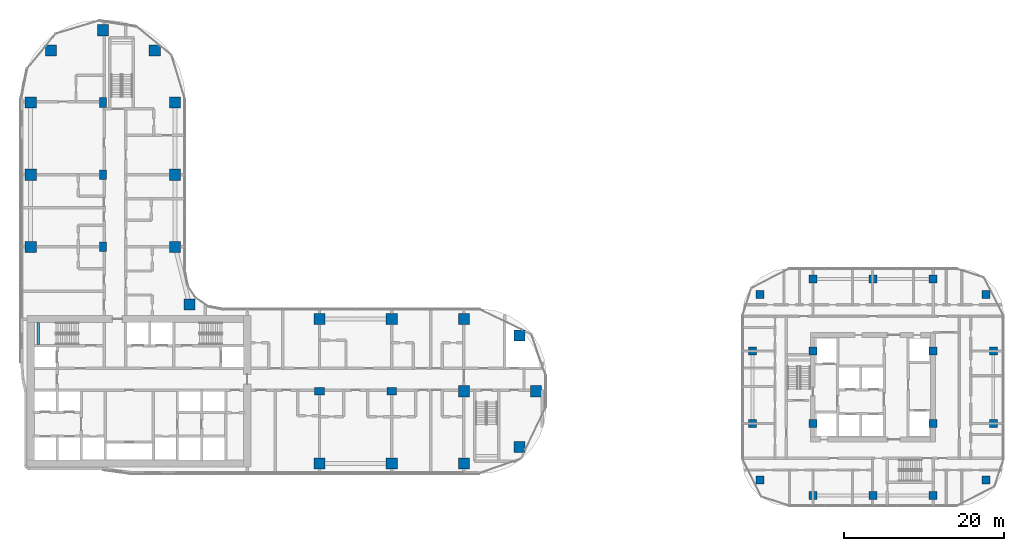
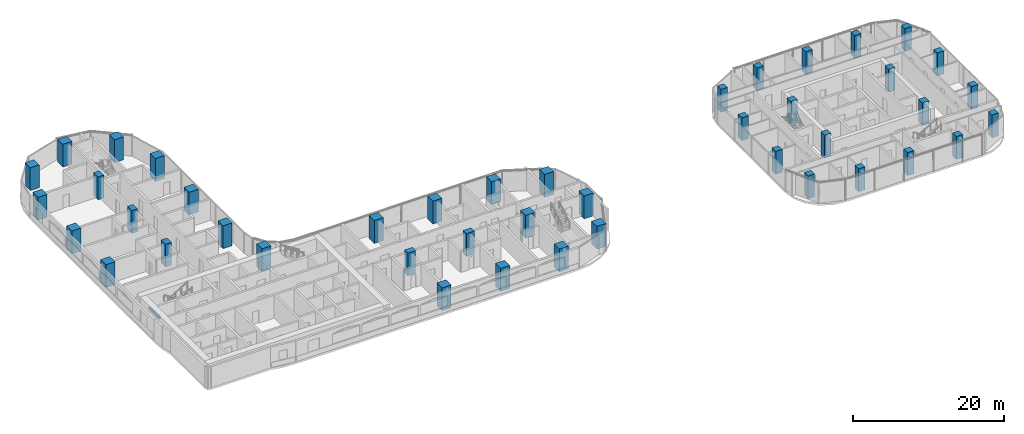
# One storey, part 1 of 36: 43 columns, 1 beam.
"""IFC4 building model written with IfcOpenShell, lengths in metres."""

from ifc_helpers import new_model, si_unit, direction, frame, origin, origin_2d, place, context, subcontext, project, spatial, rectangle, extrude, material, material_profile, profile_set, type_object, element, save


model = new_model("IFC4")

# Units and contexts
model_context = context("Model", 3, precision=1e-05, world=origin(), true_north=direction((0.0, 1.0)))
body_context = subcontext(model_context, "Body", "Model", "MODEL_VIEW")
ifc_project = project(units=[si_unit("LENGTHUNIT", "METRE"), si_unit("AREAUNIT", "SQUARE_METRE"), si_unit("VOLUMEUNIT", "CUBIC_METRE"), si_unit("PLANEANGLEUNIT", "RADIAN"), si_unit("MASSUNIT", "GRAM", prefix="KILO")], contexts=[model_context])

# Site, building, storey
site_placement = place(None, origin())
site = spatial("IfcSite", under=ifc_project, at=site_placement, CompositionType="ELEMENT")
building_placement = place(site_placement, origin())
building = spatial("IfcBuilding", under=site, at=building_placement, Name="Ogive Portal Towers", CompositionType="ELEMENT")
storey_placement = place(building_placement, frame((0.0, 0.0, 48.300048828125)))
storey = spatial("IfcBuildingStorey", under=building, at=storey_placement, Name="L10", CompositionType="ELEMENT", Elevation=48.300048828125)

# Columns
ifc_material_1 = material(Name="Concrete C60/75", Category="concrete")
ifc_material_profile_1 = material_profile(ifc_material_1, rectangle(XDim=1.0, YDim=1.0, at=origin_2d()), Name="RC 1000x1000")
ifc_profile_set_1 = profile_set([ifc_material_profile_1], Name="Concrete C60/75")
column_type_1 = type_object("IfcColumnType", Name="COLUMN RC 1000x1000", PredefinedType="COLUMN", material=ifc_profile_set_1)
for number, where, z_axis, x_axis, name in (
    (1, (129.0, 17.5, 0.0), (0.0, 0.0, 1.0), (1.0, 0.0, 0.0), "Column 12/H L10"),
    (2, (136.5, 17.5, 0.0), (0.0, 0.0, 1.0), (1.0, 0.0, 0.0), "Column 13/H L10"),
    (3, (144.0, 17.5, 0.0), (0.0, 0.0, 1.0), (1.0, 0.0, 0.0), "Column 14/H L10"),
    (4, (122.40087890625, 19.44189453125, 0.0), (0.0, 0.0, 1.0), (1.0, 0.0, 0.0), "Column L10"),
    (5, (150.59912109375, 19.44189453125, 0.0), (0.0, 0.0, 1.0), (1.0, 0.0, 0.0), "Column L10"),
    (6, (121.5, 26.5, 0.0), (0.0, 0.0, 1.0), (1.0, 0.0, 0.0), "Column 11/J L10"),
    (7, (129.0, 26.5, 0.0), (0.0, 0.0, 1.0), (1.0, 0.0, 0.0), "Column 12/J L10"),
    (8, (144.0, 26.5, 0.0), (0.0, 0.0, 1.0), (1.0, 0.0, 0.0), "Column 14/J L10"),
    (9, (151.5, 26.5, 0.0), (0.0, 0.0, 1.0), (1.0, 0.0, 0.0), "Column 15/J L10"),
    (10, (121.5, 35.5, 0.0), (0.0, 0.0, 1.0), (1.0, 0.0, 0.0), "Column 11/K L10"),
    (11, (129.0, 35.5, 0.0), (0.0, 0.0, 1.0), (1.0, 0.0, 0.0), "Column 12/K L10"),
    (12, (144.0, 35.5, 0.0), (0.0, 0.0, 1.0), (1.0, 0.0, 0.0), "Column 14/K L10"),
    (13, (151.5, 35.5, 0.0), (0.0, 0.0, 1.0), (1.0, 0.0, 0.0), "Column 15/K L10"),
    (14, (122.40087890625, 42.55810546875, 0.0), (0.0, 0.0, 1.0), (1.0, 0.0, 0.0), "Column L10"),
    (15, (150.59912109375, 42.55810546875, 0.0), (0.0, 0.0, 1.0), (1.0, 0.0, 0.0), "Column L10"),
    (16, (129.0, 44.5, 0.0), (0.0, 0.0, 1.0), (1.0, 0.0, 0.0), "Column 12/L L10"),
    (17, (136.5, 44.5, 0.0), (0.0, 0.0, 1.0), (1.0, 0.0, 0.0), "Column 13/L L10"),
    (18, (144.0, 44.5, 0.0), (0.0, 0.0, 1.0), (1.0, 0.0, 0.0), "Column 14/L L10"),
):
    element("IfcColumn", number, at=place(storey_placement, frame(where, z_axis=z_axis, x_axis=x_axis)), inside=storey, type_object=column_type_1, Name=name, PredefinedType="COLUMN", context=body_context, shape_type="SweptSolid", body=[
        extrude(rectangle(XDim=1.0, YDim=1.0, at=origin_2d()), origin(), (0.0, 0.0, 1.0), 3.699951171875),
    ])
ifc_material_profile_2 = material_profile(ifc_material_1, rectangle(XDim=1.199951171875, YDim=0.89990234375, at=origin_2d()), Name="RC 1200x900")
ifc_profile_set_2 = profile_set([ifc_material_profile_2], Name="Concrete C60/75")
column_type_2 = type_object("IfcColumnType", Name="COLUMN RC 1200x900", PredefinedType="COLUMN", material=ifc_profile_set_2)
for number, where, z_axis, x_axis, name in (
    (19, (67.5, 30.5, 0.0), (0.0, 0.0, 1.0), (1.0, 0.0, 0.0), "Column 5/B L10"),
    (20, (76.5, 30.5, 0.0), (0.0, 0.0, 1.0), (1.0, 0.0, 0.0), "Column 6/B L10"),
    (21, (40.5, 48.5, 0.0), (0.0, 0.0, 1.0), (0.0, 1.0, 0.0), "Column 2/D L10"),
    (22, (40.5, 57.5, 0.0), (0.0, 0.0, 1.0), (0.0, 1.0, 0.0), "Column 2/E L10"),
    (23, (40.5, 66.5, 0.0), (0.0, 0.0, 1.0), (0.0, 1.0, 0.0), "Column 2/F L10"),
):
    element("IfcColumn", number, at=place(storey_placement, frame(where, z_axis=z_axis, x_axis=x_axis)), inside=storey, type_object=column_type_2, Name=name, PredefinedType="COLUMN", context=body_context, shape_type="SweptSolid", body=[
        extrude(rectangle(XDim=1.199951171875, YDim=0.89990234375, at=origin_2d()), origin(), (0.0, 0.0, 1.0), 3.699951171875),
    ])
ifc_material_profile_3 = material_profile(ifc_material_1, rectangle(XDim=1.39990234375, YDim=1.39990234375, at=origin_2d()), Name="RC 1400x1400")
ifc_profile_set_3 = profile_set([ifc_material_profile_3], Name="Concrete C60/75")
column_type_3 = type_object("IfcColumnType", Name="COLUMN RC 1400x1400", PredefinedType="COLUMN", material=ifc_profile_set_3)
for number, where, z_axis, x_axis, name in (
    (24, (67.5, 21.5, 0.0), (0.0, 0.0, 1.0), (1.0, 0.0, 0.0), "Column 5/A L10"),
    (25, (76.5, 21.5, 0.0), (0.0, 0.0, 1.0), (1.0, 0.0, 0.0), "Column 6/A L10"),
    (26, (85.5, 21.5, 0.0), (0.0, 0.0, 1.0), (1.0, 0.0, 0.0), "Column 7/A L10"),
    (27, (92.449951171875, 23.550048828125, 0.0), (0.0, 0.0, 1.0), (1.0, 0.0, 0.0), "Column L10"),
    (28, (85.5, 30.5, 0.0), (0.0, 0.0, 1.0), (1.0, 0.0, 0.0), "Column 7/B L10"),
    (29, (94.5, 30.5, 0.0), (0.0, 0.0, 1.0), (1.0, 0.0, 0.0), "Column 8/B L10"),
    (30, (92.449951171875, 37.449951171875, 0.0), (0.0, 0.0, 1.0), (1.0, 0.0, 0.0), "Column L10"),
    (31, (67.5, 39.5, 0.0), (0.0, 0.0, 1.0), (1.0, 0.0, 0.0), "Column 5/C L10"),
    (32, (76.5, 39.5, 0.0), (0.0, 0.0, 1.0), (1.0, 0.0, 0.0), "Column 6/C L10"),
    (33, (85.5, 39.5, 0.0), (0.0, 0.0, 1.0), (1.0, 0.0, 0.0), "Column 7/C L10"),
    (34, (51.31005859375, 41.31005859375, 0.0), (0.0, 0.0, 1.0), (1.0, 0.0, 0.0), "Column L10"),
    (35, (31.5, 48.5, 0.0), (0.0, 0.0, 1.0), (1.0, 0.0, 0.0), "Column 1/D L10"),
    (36, (49.5, 48.5, 0.0), (0.0, 0.0, 1.0), (1.0, 0.0, 0.0), "Column 3/D L10"),
    (37, (31.5, 57.5, 0.0), (0.0, 0.0, 1.0), (1.0, 0.0, 0.0), "Column 1/E L10"),
    (38, (49.5, 57.5, 0.0), (0.0, 0.0, 1.0), (1.0, 0.0, 0.0), "Column 3/E L10"),
    (39, (31.5, 66.5, 0.0), (0.0, 0.0, 1.0), (1.0, 0.0, 0.0), "Column 1/F L10"),
    (40, (49.5, 66.5, 0.0), (0.0, 0.0, 1.0), (1.0, 0.0, 0.0), "Column 3/F L10"),
    (41, (34.027099609375, 72.972900390625, 0.0), (0.0, 0.0, 1.0), (1.0, 0.0, 0.0), "Column L10"),
    (42, (46.972900390625, 72.972900390625, 0.0), (0.0, 0.0, 1.0), (1.0, 0.0, 0.0), "Column L10"),
    (43, (40.5, 75.5, 0.0), (0.0, 0.0, 1.0), (1.0, 0.0, 0.0), "Column 2/G L10"),
):
    element("IfcColumn", number, at=place(storey_placement, frame(where, z_axis=z_axis, x_axis=x_axis)), inside=storey, type_object=column_type_3, Name=name, PredefinedType="COLUMN", context=body_context, shape_type="SweptSolid", body=[
        extrude(rectangle(XDim=1.39990234375, YDim=1.39990234375, at=origin_2d()), origin(), (0.0, 0.0, 1.0), 3.699951171875),
    ])

# Beam
ifc_material_2 = material(Name="Concrete C40/50", Category="concrete")
ifc_material_profile_4 = material_profile(ifc_material_2, rectangle(XDim=0.300048828125, YDim=0.39990234375, at=origin_2d()), Name="RC 300x400")
ifc_profile_set_4 = profile_set([ifc_material_profile_4], Name="Concrete C40/50")
beam_type = type_object("IfcBeamType", Name="BEAM RC 300x400", PredefinedType="BEAM", material=ifc_profile_set_4)
beam_placement = place(storey_placement, frame((32.449951171875, 36.35009765625, 1.449951171875), z_axis=(0.0, 1.0, 0.0), x_axis=(-1.0, 0.0, 0.0)))
element("IfcBeam", 44, at=beam_placement, inside=storey, type_object=beam_type, Name="Landing beam L10", PredefinedType="BEAM", context=body_context, shape_type="SweptSolid", body=[
    extrude(rectangle(XDim=0.300048828125, YDim=0.39990234375, at=origin_2d()), origin(), (0.0, 0.0, 1.0), 2.699951171875),
])

save(model, "model.ifc")
